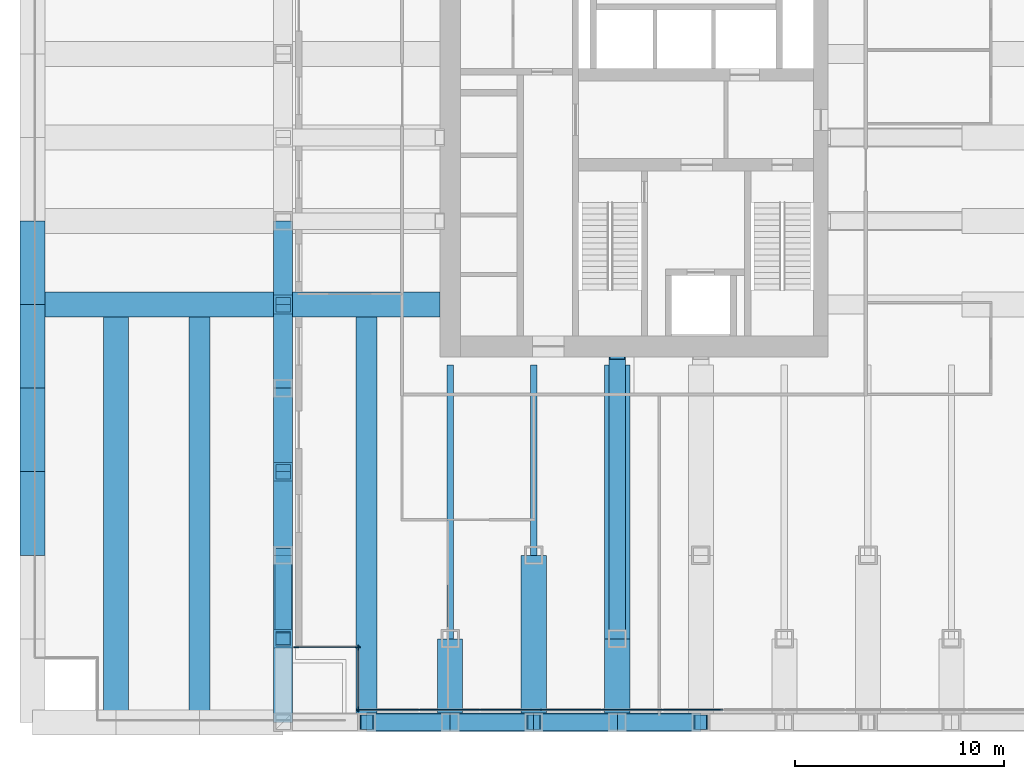
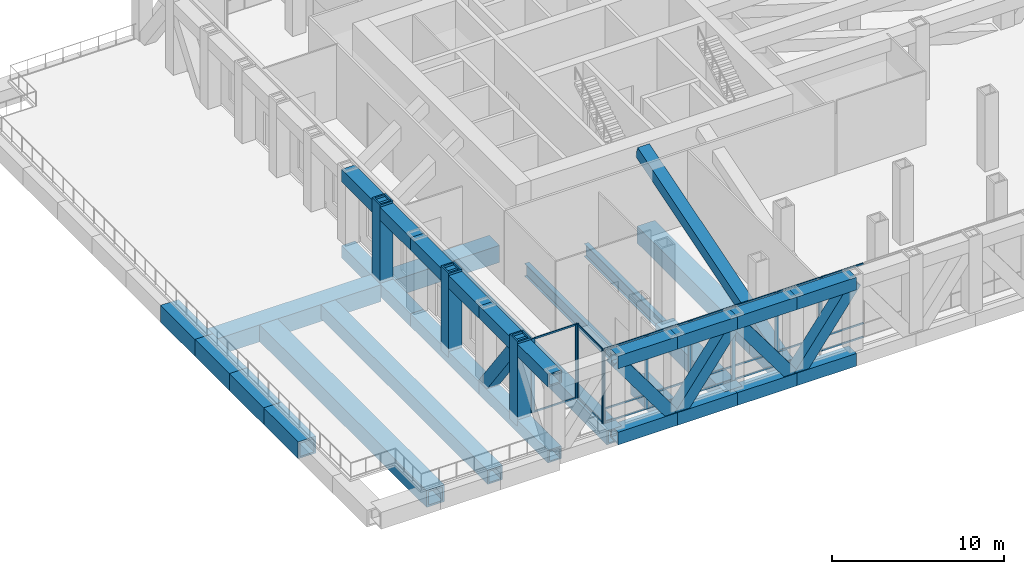
# One storey, part 2 of 14: 41 members, 32 beams, 3 elements without a shape of their own.
"""IFC4 building model written with IfcOpenShell, lengths in metres."""

from ifc_helpers import new_model, si_unit, direction, frame, origin, origin_2d, place, context, subcontext, project, spatial, rectangle, hollow_rectangle, i_section, extrude, material, material_profile, profile_set, type_object, element, aggregate, save


model = new_model("IFC4")

# Units and contexts
model_context = context("Model", 3, precision=1e-05, world=origin(), true_north=direction((0.0, 1.0)))
body_context = subcontext(model_context, "Body", "Model", "MODEL_VIEW")
ifc_project = project(units=[si_unit("LENGTHUNIT", "METRE"), si_unit("AREAUNIT", "SQUARE_METRE"), si_unit("VOLUMEUNIT", "CUBIC_METRE"), si_unit("PLANEANGLEUNIT", "RADIAN"), si_unit("MASSUNIT", "GRAM", prefix="KILO")], contexts=[model_context])

# Site, building, storey
site_placement = place(None, origin())
site = spatial("IfcSite", under=ifc_project, at=site_placement, CompositionType="ELEMENT")
building_placement = place(site_placement, origin())
building = spatial("IfcBuilding", under=site, at=building_placement, Name="Rimbunsela Tower", CompositionType="ELEMENT")
storey_placement = place(building_placement, frame((0.0, 0.0, 71.0)))
storey = spatial("IfcBuildingStorey", under=building, at=storey_placement, Name="L17", CompositionType="ELEMENT", Elevation=71.0)

# Beams
ifc_material_1 = material(Name="Steel BJ 55 (fy 410 MPa)", Category="steel")
ifc_material_profile_1 = material_profile(ifc_material_1, hollow_rectangle(XDim=1.0, YDim=1.0, WallThickness=0.10009765625, at=origin_2d()), Name="BOX 1000x1000x100")
ifc_profile_set_1 = profile_set([ifc_material_profile_1], Name="Steel BJ 55 (fy 410 MPa)")
beam_type_1 = type_object("IfcBeamType", Name="Beam BOX 1000x1000x100", PredefinedType="BEAM", material=ifc_profile_set_1)
for number, where, z_axis, x_axis, name in (
    (1, (6.0, 0.0, -0.64990234375), (0.0, 1.0, 0.0), (-1.0, 0.0, 0.0), "Beam B3 L17"),
    (2, (14.0, 0.0, -0.64990234375), (0.0, 1.0, 0.0), (-1.0, 0.0, 0.0), "Beam B3 L17"),
):
    element("IfcBeam", number, at=place(storey_placement, frame(where, z_axis=z_axis, x_axis=x_axis)), inside=storey, type_object=beam_type_1, Name=name, PredefinedType="BEAM", context=body_context, shape_type="SweptSolid", body=[
        extrude(hollow_rectangle(XDim=1.0, YDim=1.0, WallThickness=0.10009765625, at=origin_2d()), origin(), (0.0, 0.0, 1.0), 19.39990234375),
    ])
ifc_material_2 = material(Name="Steel BJ 55 (fy 410 MPa)", Category="steel")
ifc_material_profile_2 = material_profile(ifc_material_2, hollow_rectangle(XDim=1.199951171875, YDim=1.199951171875, WallThickness=0.10009765625, at=origin_2d()), Name="BOX 1200x1200x100")
ifc_profile_set_2 = profile_set([ifc_material_profile_2], Name="Steel BJ 55 (fy 410 MPa)")
beam_type_2 = type_object("IfcBeamType", Name="Beam BOX 1200x1200x100", PredefinedType="BEAM", material=ifc_profile_set_2)
beam_1_placement = place(storey_placement, frame((-2.0, 20.0, -0.75), z_axis=(1.0, 0.0, 0.0), x_axis=(0.0, 1.0, 0.0)))
element("IfcBeam", 3, at=beam_1_placement, inside=storey, type_object=beam_type_2, Name="Beam B5 L17", PredefinedType="BEAM", context=body_context, shape_type="SweptSolid", body=[
    extrude(hollow_rectangle(XDim=1.199951171875, YDim=1.199951171875, WallThickness=0.10009765625, at=origin_2d()), origin(), (0.0, 0.0, 1.0), 11.550048828125),
])
beam_2_placement = place(storey_placement, frame((10.449951171875, 20.0, -0.75), z_axis=(1.0, 0.0, 0.0), x_axis=(0.0, 1.0, 0.0)))
element("IfcBeam", 4, at=beam_2_placement, inside=storey, type_object=beam_type_2, Name="Beam B5 L17", PredefinedType="BEAM", context=body_context, shape_type="SweptSolid", body=[
    extrude(hollow_rectangle(XDim=1.199951171875, YDim=1.199951171875, WallThickness=0.10009765625, at=origin_2d()), origin(), (0.0, 0.0, 1.0), 7.050048828125),
])
beam_3_placement = place(storey_placement, frame((26.0, 4.0, -0.75), z_axis=(0.0, 1.0, 0.0), x_axis=(-1.0, 0.0, 0.0)))
element("IfcBeam", 5, at=beam_3_placement, inside=storey, type_object=beam_type_2, Name="Beam B5 L17", PredefinedType="BEAM", context=body_context, shape_type="SweptSolid", body=[
    extrude(hollow_rectangle(XDim=1.199951171875, YDim=1.199951171875, WallThickness=0.10009765625, at=origin_2d()), origin(), (0.0, 0.0, 1.0), 13.10009765625),
])
ifc_material_3 = material(Name="Steel BJ 55 (fy 410 MPa)", Category="steel")
ifc_material_profile_3 = material_profile(ifc_material_3, hollow_rectangle(XDim=1.199951171875, YDim=1.199951171875, WallThickness=0.125, at=origin_2d()), Name="BOX 1200x1200x125")
ifc_profile_set_3 = profile_set([ifc_material_profile_3], Name="Steel BJ 55 (fy 410 MPa)")
beam_type_3 = type_object("IfcBeamType", Name="Beam BOX 1200x1200x125", PredefinedType="BEAM", material=ifc_profile_set_3)
for number, where, z_axis, x_axis, name in (
    (6, (-2.0, 8.0, -0.75), (0.0, 1.0, 0.0), (-1.0, 0.0, 0.0), "Beam B4 L17"),
    (7, (-2.0, 12.0, -0.75), (0.0, 1.0, 0.0), (-1.0, 0.0, 0.0), "Beam B4 L17"),
    (8, (-2.0, 16.0, -0.75), (0.0, 1.0, 0.0), (-1.0, 0.0, 0.0), "Beam B4 L17"),
    (9, (-2.0, 20.0, -0.75), (0.0, 1.0, 0.0), (-1.0, 0.0, 0.0), "Beam B4 L17"),
):
    element("IfcBeam", number, at=place(storey_placement, frame(where, z_axis=z_axis, x_axis=x_axis)), inside=storey, type_object=beam_type_3, Name=name, PredefinedType="BEAM", context=body_context, shape_type="SweptSolid", body=[
        extrude(hollow_rectangle(XDim=1.199951171875, YDim=1.199951171875, WallThickness=0.125, at=origin_2d()), origin(), (0.0, 0.0, 1.0), 4.0),
    ])
beam_4_placement = place(storey_placement, frame((2.0, 0.0, -0.75), z_axis=(0.0, 1.0, 0.0), x_axis=(-1.0, 0.0, 0.0)))
element("IfcBeam", 10, at=beam_4_placement, inside=storey, type_object=beam_type_3, Name="Beam B4 L17", PredefinedType="BEAM", context=body_context, shape_type="SweptSolid", body=[
    extrude(hollow_rectangle(XDim=1.199951171875, YDim=1.199951171875, WallThickness=0.125, at=origin_2d()), origin(), (0.0, 0.0, 1.0), 19.39990234375),
])
beam_5_placement = place(storey_placement, frame((18.0, 0.0, -0.75), z_axis=(0.0, 1.0, 0.0), x_axis=(-1.0, 0.0, 0.0)))
element("IfcBeam", 11, at=beam_5_placement, inside=storey, type_object=beam_type_3, Name="Beam B4 L17", PredefinedType="BEAM", context=body_context, shape_type="SweptSolid", body=[
    extrude(hollow_rectangle(XDim=1.199951171875, YDim=1.199951171875, WallThickness=0.125, at=origin_2d()), origin(), (0.0, 0.0, 1.0), 4.0),
])
beam_6_placement = place(storey_placement, frame((22.0, 0.0, -0.75), z_axis=(0.0, 1.0, 0.0), x_axis=(-1.0, 0.0, 0.0)))
element("IfcBeam", 12, at=beam_6_placement, inside=storey, type_object=beam_type_3, Name="Beam B4 L17", PredefinedType="BEAM", context=body_context, shape_type="SweptSolid", body=[
    extrude(hollow_rectangle(XDim=1.199951171875, YDim=1.199951171875, WallThickness=0.125, at=origin_2d()), origin(), (0.0, 0.0, 1.0), 8.0),
])
beam_7_placement = place(storey_placement, frame((26.0, 0.0, -0.75), z_axis=(0.0, 1.0, 0.0), x_axis=(-1.0, 0.0, 0.0)))
element("IfcBeam", 13, at=beam_7_placement, inside=storey, type_object=beam_type_3, Name="Beam B4 L17", PredefinedType="BEAM", context=body_context, shape_type="SweptSolid", body=[
    extrude(hollow_rectangle(XDim=1.199951171875, YDim=1.199951171875, WallThickness=0.125, at=origin_2d()), origin(), (0.0, 0.0, 1.0), 4.0),
])
ifc_material_4 = material(Name="Steel BJ 55 (fy 410 MPa)", Category="steel")
ifc_material_profile_4 = material_profile(ifc_material_4, i_section(OverallWidth=0.300048828125, OverallDepth=0.89990234375, WebThickness=0.01611328125, FlangeThickness=0.028076171875, FilletRadius=0.028076171875, at=origin_2d()), Name="H 900x300x16x28")
ifc_profile_set_4 = profile_set([ifc_material_profile_4], Name="Steel BJ 55 (fy 410 MPa)")
beam_type_4 = type_object("IfcBeamType", Name="Beam H 900x300x16x28", PredefinedType="BEAM", material=ifc_profile_set_4)
beam_8_placement = place(storey_placement, frame((18.0, 4.0, -0.60009765625), z_axis=(0.0, 1.0, 0.0), x_axis=(-1.0, 0.0, 0.0)))
element("IfcBeam", 14, at=beam_8_placement, inside=storey, type_object=beam_type_4, Name="Beam B2 L17", PredefinedType="BEAM", context=body_context, shape_type="SweptSolid", body=[
    extrude(i_section(OverallWidth=0.300048828125, OverallDepth=0.89990234375, WebThickness=0.01611328125, FlangeThickness=0.028076171875, FilletRadius=0.028076171875, at=origin_2d()), origin(), (0.0, 0.0, 1.0), 13.10009765625),
])
beam_9_placement = place(storey_placement, frame((22.0, 8.0, -0.60009765625), z_axis=(0.0, 1.0, 0.0), x_axis=(-1.0, 0.0, 0.0)))
element("IfcBeam", 15, at=beam_9_placement, inside=storey, type_object=beam_type_4, Name="Beam B2 L17", PredefinedType="BEAM", context=body_context, shape_type="SweptSolid", body=[
    extrude(i_section(OverallWidth=0.300048828125, OverallDepth=0.89990234375, WebThickness=0.01611328125, FlangeThickness=0.028076171875, FilletRadius=0.028076171875, at=origin_2d()), origin(), (0.0, 0.0, 1.0), 9.10009765625),
])

# Curtain wall, members
ifc_material_5 = material(Name="Aluminium curtain wall", Category="aluminium")
curtain_wall_type_1 = type_object("IfcCurtainWallType", Name="Corner glazing", PredefinedType="USERDEFINED", material=ifc_material_5)
curtain_wall_1_placement = place(storey_placement, origin())
curtain_wall_1 = element("IfcCurtainWall", 16, at=curtain_wall_1_placement, inside=storey, type_object=curtain_wall_type_1, Name="Corner glazing L17", ObjectType="CORNER GLAZING", PredefinedType="USERDEFINED")
ifc_material_6 = material(Name="Aluminium mullion", Category="aluminium")
ifc_material_profile_5 = material_profile(ifc_material_6, rectangle(XDim=0.06005859375, YDim=0.25, at=origin_2d()), Name="Mullion 60x250")
ifc_profile_set_5 = profile_set([ifc_material_profile_5], Name="Aluminium mullion")
member_type_1 = type_object("IfcMemberType", Name="Curtain wall mullion 60x250", PredefinedType="MULLION", material=ifc_profile_set_5)
member_1_placement = place(storey_placement, frame((10.6298828125, 3.60009765625, 0.0), z_axis=(0.0, 0.0, 1.0), x_axis=(0.0, 1.0, 0.0)))
member_1 = element("IfcMember", 17, at=member_1_placement, type_object=member_type_1, Name="CW5 mullion 1", PredefinedType="MULLION", context=body_context, shape_type="SweptSolid", body=[
    extrude(rectangle(XDim=0.06005859375, YDim=0.25, at=origin_2d()), origin(), (0.0, 0.0, 1.0), 5.25),
])
member_2_placement = place(storey_placement, frame((13.570068359375, 3.60009765625, 0.0), z_axis=(0.0, 0.0, 1.0), x_axis=(0.0, 1.0, 0.0)))
member_2 = element("IfcMember", 18, at=member_2_placement, type_object=member_type_1, Name="CW5 mullion 2", PredefinedType="MULLION", context=body_context, shape_type="SweptSolid", body=[
    extrude(rectangle(XDim=0.06005859375, YDim=0.25, at=origin_2d()), origin(), (0.0, 0.0, 1.0), 5.25),
])

curtain_wall_2_placement = place(storey_placement, origin())
curtain_wall_2 = element("IfcCurtainWall", 19, at=curtain_wall_2_placement, inside=storey, type_object=curtain_wall_type_1, Name="Corner glazing L17", ObjectType="CORNER GLAZING", PredefinedType="USERDEFINED")
member_3_placement = place(storey_placement, frame((13.60009765625, 3.570068359375, 0.0), z_axis=(0.0, 0.0, 1.0), x_axis=(1.0, 0.0, 0.0)))
member_3 = element("IfcMember", 20, at=member_3_placement, type_object=member_type_1, Name="CW5 mullion 1", PredefinedType="MULLION", context=body_context, shape_type="SweptSolid", body=[
    extrude(rectangle(XDim=0.06005859375, YDim=0.25, at=origin_2d()), origin(), (0.0, 0.0, 1.0), 5.25),
])
member_4_placement = place(storey_placement, frame((13.60009765625, 0.6298828125, 0.0), z_axis=(0.0, 0.0, 1.0), x_axis=(1.0, 0.0, 0.0)))
member_4 = element("IfcMember", 21, at=member_4_placement, type_object=member_type_1, Name="CW5 mullion 2", PredefinedType="MULLION", context=body_context, shape_type="SweptSolid", body=[
    extrude(rectangle(XDim=0.06005859375, YDim=0.25, at=origin_2d()), origin(), (0.0, 0.0, 1.0), 5.25),
])

ifc_material_7 = material(Name="Aluminium curtain wall", Category="aluminium")
curtain_wall_type_2 = type_object("IfcCurtainWallType", Name="Plant floor louvre wall", PredefinedType="USERDEFINED", material=ifc_material_7)
curtain_wall_3_placement = place(storey_placement, origin())
curtain_wall_3 = element("IfcCurtainWall", 22, at=curtain_wall_3_placement, inside=storey, type_object=curtain_wall_type_2, Name="Plant floor louvre wall L17", ObjectType="PLANT FLOOR LOUVRE WALL", PredefinedType="USERDEFINED")
member_5_placement = place(storey_placement, frame((13.6298828125, 0.60009765625, 0.0), z_axis=(0.0, 0.0, 1.0), x_axis=(0.0, 1.0, 0.0)))
member_5 = element("IfcMember", 23, at=member_5_placement, type_object=member_type_1, Name="CW3 mullion 1", PredefinedType="MULLION", context=body_context, shape_type="SweptSolid", body=[
    extrude(rectangle(XDim=0.06005859375, YDim=0.25, at=origin_2d()), origin(), (0.0, 0.0, 1.0), 5.25),
])
member_6_placement = place(storey_placement, frame((16.514404296875, 0.60009765625, 0.0), z_axis=(0.0, 0.0, 1.0), x_axis=(0.0, 1.0, 0.0)))
member_6 = element("IfcMember", 24, at=member_6_placement, type_object=member_type_1, Name="CW3 mullion 2", PredefinedType="MULLION", context=body_context, shape_type="SweptSolid", body=[
    extrude(rectangle(XDim=0.06005859375, YDim=0.25, at=origin_2d()), origin(), (0.0, 0.0, 1.0), 5.25),
])
member_7_placement = place(storey_placement, frame((19.428466796875, 0.60009765625, 0.0), z_axis=(0.0, 0.0, 1.0), x_axis=(0.0, 1.0, 0.0)))
member_7 = element("IfcMember", 25, at=member_7_placement, type_object=member_type_1, Name="CW3 mullion 3", PredefinedType="MULLION", context=body_context, shape_type="SweptSolid", body=[
    extrude(rectangle(XDim=0.06005859375, YDim=0.25, at=origin_2d()), origin(), (0.0, 0.0, 1.0), 5.25),
])
member_8_placement = place(storey_placement, frame((22.3427734375, 0.60009765625, 0.0), z_axis=(0.0, 0.0, 1.0), x_axis=(0.0, 1.0, 0.0)))
member_8 = element("IfcMember", 26, at=member_8_placement, type_object=member_type_1, Name="CW3 mullion 4", PredefinedType="MULLION", context=body_context, shape_type="SweptSolid", body=[
    extrude(rectangle(XDim=0.06005859375, YDim=0.25, at=origin_2d()), origin(), (0.0, 0.0, 1.0), 5.25),
])
member_9_placement = place(storey_placement, frame((25.257080078125, 0.60009765625, 0.0), z_axis=(0.0, 0.0, 1.0), x_axis=(0.0, 1.0, 0.0)))
member_9 = element("IfcMember", 27, at=member_9_placement, type_object=member_type_1, Name="CW3 mullion 5", PredefinedType="MULLION", context=body_context, shape_type="SweptSolid", body=[
    extrude(rectangle(XDim=0.06005859375, YDim=0.25, at=origin_2d()), origin(), (0.0, 0.0, 1.0), 5.25),
])
member_10_placement = place(storey_placement, frame((28.17138671875, 0.60009765625, 0.0), z_axis=(0.0, 0.0, 1.0), x_axis=(0.0, 1.0, 0.0)))
member_10 = element("IfcMember", 28, at=member_10_placement, type_object=member_type_1, Name="CW3 mullion 6", PredefinedType="MULLION", context=body_context, shape_type="SweptSolid", body=[
    extrude(rectangle(XDim=0.06005859375, YDim=0.25, at=origin_2d()), origin(), (0.0, 0.0, 1.0), 5.25),
])

# Member
ifc_material_8 = material(Name="Aluminium transom", Category="aluminium")
ifc_material_profile_6 = material_profile(ifc_material_8, rectangle(XDim=0.06005859375, YDim=0.1201171875, at=origin_2d()), Name="Transom 60x120")
ifc_profile_set_6 = profile_set([ifc_material_profile_6], Name="Aluminium transom")
member_type_2 = type_object("IfcMemberType", Name="Curtain wall transom 60x120", PredefinedType="USERDEFINED", material=ifc_profile_set_6)
member_11_placement = place(storey_placement, frame((10.659912109375, 3.60009765625, 0.030029296875), z_axis=(1.0, 0.0, 0.0), x_axis=(0.0, 1.0, 0.0)))
member_11 = element("IfcMember", 29, at=member_11_placement, type_object=member_type_2, Name="CW5 transom 1.1", ObjectType="TRANSOM", PredefinedType="USERDEFINED", context=body_context, shape_type="SweptSolid", body=[
    extrude(rectangle(XDim=0.06005859375, YDim=0.1201171875, at=origin_2d()), origin(), (0.0, 0.0, 1.0), 2.880126953125),
])

member_12_placement = place(storey_placement, frame((10.659912109375, 3.60009765625, 5.219970703125), z_axis=(1.0, 0.0, 0.0), x_axis=(0.0, 1.0, 0.0)))
member_12 = element("IfcMember", 30, at=member_12_placement, type_object=member_type_2, Name="CW5 transom 1.2", ObjectType="TRANSOM", PredefinedType="USERDEFINED", context=body_context, shape_type="SweptSolid", body=[
    extrude(rectangle(XDim=0.06005859375, YDim=0.1201171875, at=origin_2d()), origin(), (0.0, 0.0, 1.0), 2.880126953125),
])

aggregate(curtain_wall_1, [member_1, member_2, member_11, member_12])

member_13_placement = place(storey_placement, frame((13.60009765625, 3.5400390625, 0.030029296875), z_axis=(0.0, -1.0, 0.0), x_axis=(1.0, 0.0, 0.0)))
member_13 = element("IfcMember", 31, at=member_13_placement, type_object=member_type_2, Name="CW5 transom 1.1", ObjectType="TRANSOM", PredefinedType="USERDEFINED", context=body_context, shape_type="SweptSolid", body=[
    extrude(rectangle(XDim=0.06005859375, YDim=0.1201171875, at=origin_2d()), origin(), (0.0, 0.0, 1.0), 2.880126953125),
])

member_14_placement = place(storey_placement, frame((13.60009765625, 3.5400390625, 5.219970703125), z_axis=(0.0, -1.0, 0.0), x_axis=(1.0, 0.0, 0.0)))
member_14 = element("IfcMember", 32, at=member_14_placement, type_object=member_type_2, Name="CW5 transom 1.2", ObjectType="TRANSOM", PredefinedType="USERDEFINED", context=body_context, shape_type="SweptSolid", body=[
    extrude(rectangle(XDim=0.06005859375, YDim=0.1201171875, at=origin_2d()), origin(), (0.0, 0.0, 1.0), 2.880126953125),
])

aggregate(curtain_wall_2, [member_3, member_4, member_13, member_14])

member_15_placement = place(storey_placement, frame((13.659912109375, 0.60009765625, 0.030029296875), z_axis=(1.0, 0.0, 0.0), x_axis=(0.0, 1.0, 0.0)))
member_15 = element("IfcMember", 33, at=member_15_placement, type_object=member_type_2, Name="CW3 transom 1.1", ObjectType="TRANSOM", PredefinedType="USERDEFINED", context=body_context, shape_type="SweptSolid", body=[
    extrude(rectangle(XDim=0.06005859375, YDim=0.1201171875, at=origin_2d()), origin(), (0.0, 0.0, 1.0), 2.824462890625),
])

member_16_placement = place(storey_placement, frame((13.659912109375, 0.60009765625, 1.0), z_axis=(1.0, 0.0, 0.0), x_axis=(0.0, 1.0, 0.0)))
member_16 = element("IfcMember", 34, at=member_16_placement, type_object=member_type_2, Name="CW3 transom 1.2", ObjectType="TRANSOM", PredefinedType="USERDEFINED", context=body_context, shape_type="SweptSolid", body=[
    extrude(rectangle(XDim=0.06005859375, YDim=0.1201171875, at=origin_2d()), origin(), (0.0, 0.0, 1.0), 2.824462890625),
])

member_17_placement = place(storey_placement, frame((13.659912109375, 0.60009765625, 5.219970703125), z_axis=(1.0, 0.0, 0.0), x_axis=(0.0, 1.0, 0.0)))
member_17 = element("IfcMember", 35, at=member_17_placement, type_object=member_type_2, Name="CW3 transom 1.3", ObjectType="TRANSOM", PredefinedType="USERDEFINED", context=body_context, shape_type="SweptSolid", body=[
    extrude(rectangle(XDim=0.06005859375, YDim=0.1201171875, at=origin_2d()), origin(), (0.0, 0.0, 1.0), 2.824462890625),
])

member_18_placement = place(storey_placement, frame((16.544189453125, 0.60009765625, 0.030029296875), z_axis=(1.0, 0.0, 0.0), x_axis=(0.0, 1.0, 0.0)))
member_18 = element("IfcMember", 36, at=member_18_placement, type_object=member_type_2, Name="CW3 transom 2.1", ObjectType="TRANSOM", PredefinedType="USERDEFINED", context=body_context, shape_type="SweptSolid", body=[
    extrude(rectangle(XDim=0.06005859375, YDim=0.1201171875, at=origin_2d()), origin(), (0.0, 0.0, 1.0), 2.8544921875),
])

member_19_placement = place(storey_placement, frame((16.544189453125, 0.60009765625, 1.0), z_axis=(1.0, 0.0, 0.0), x_axis=(0.0, 1.0, 0.0)))
member_19 = element("IfcMember", 37, at=member_19_placement, type_object=member_type_2, Name="CW3 transom 2.2", ObjectType="TRANSOM", PredefinedType="USERDEFINED", context=body_context, shape_type="SweptSolid", body=[
    extrude(rectangle(XDim=0.06005859375, YDim=0.1201171875, at=origin_2d()), origin(), (0.0, 0.0, 1.0), 2.8544921875),
])

member_20_placement = place(storey_placement, frame((16.544189453125, 0.60009765625, 5.219970703125), z_axis=(1.0, 0.0, 0.0), x_axis=(0.0, 1.0, 0.0)))
member_20 = element("IfcMember", 38, at=member_20_placement, type_object=member_type_2, Name="CW3 transom 2.3", ObjectType="TRANSOM", PredefinedType="USERDEFINED", context=body_context, shape_type="SweptSolid", body=[
    extrude(rectangle(XDim=0.06005859375, YDim=0.1201171875, at=origin_2d()), origin(), (0.0, 0.0, 1.0), 2.8544921875),
])

member_21_placement = place(storey_placement, frame((19.45849609375, 0.60009765625, 0.030029296875), z_axis=(1.0, 0.0, 0.0), x_axis=(0.0, 1.0, 0.0)))
member_21 = element("IfcMember", 39, at=member_21_placement, type_object=member_type_2, Name="CW3 transom 3.1", ObjectType="TRANSOM", PredefinedType="USERDEFINED", context=body_context, shape_type="SweptSolid", body=[
    extrude(rectangle(XDim=0.06005859375, YDim=0.1201171875, at=origin_2d()), origin(), (0.0, 0.0, 1.0), 2.854248046875),
])

member_22_placement = place(storey_placement, frame((19.45849609375, 0.60009765625, 1.0), z_axis=(1.0, 0.0, 0.0), x_axis=(0.0, 1.0, 0.0)))
member_22 = element("IfcMember", 40, at=member_22_placement, type_object=member_type_2, Name="CW3 transom 3.2", ObjectType="TRANSOM", PredefinedType="USERDEFINED", context=body_context, shape_type="SweptSolid", body=[
    extrude(rectangle(XDim=0.06005859375, YDim=0.1201171875, at=origin_2d()), origin(), (0.0, 0.0, 1.0), 2.854248046875),
])

member_23_placement = place(storey_placement, frame((19.45849609375, 0.60009765625, 5.219970703125), z_axis=(1.0, 0.0, 0.0), x_axis=(0.0, 1.0, 0.0)))
member_23 = element("IfcMember", 41, at=member_23_placement, type_object=member_type_2, Name="CW3 transom 3.3", ObjectType="TRANSOM", PredefinedType="USERDEFINED", context=body_context, shape_type="SweptSolid", body=[
    extrude(rectangle(XDim=0.06005859375, YDim=0.1201171875, at=origin_2d()), origin(), (0.0, 0.0, 1.0), 2.854248046875),
])

member_24_placement = place(storey_placement, frame((22.372802734375, 0.60009765625, 0.030029296875), z_axis=(1.0, 0.0, 0.0), x_axis=(0.0, 1.0, 0.0)))
member_24 = element("IfcMember", 42, at=member_24_placement, type_object=member_type_2, Name="CW3 transom 4.1", ObjectType="TRANSOM", PredefinedType="USERDEFINED", context=body_context, shape_type="SweptSolid", body=[
    extrude(rectangle(XDim=0.06005859375, YDim=0.1201171875, at=origin_2d()), origin(), (0.0, 0.0, 1.0), 2.854248046875),
])

member_25_placement = place(storey_placement, frame((22.372802734375, 0.60009765625, 1.0), z_axis=(1.0, 0.0, 0.0), x_axis=(0.0, 1.0, 0.0)))
member_25 = element("IfcMember", 43, at=member_25_placement, type_object=member_type_2, Name="CW3 transom 4.2", ObjectType="TRANSOM", PredefinedType="USERDEFINED", context=body_context, shape_type="SweptSolid", body=[
    extrude(rectangle(XDim=0.06005859375, YDim=0.1201171875, at=origin_2d()), origin(), (0.0, 0.0, 1.0), 2.854248046875),
])

member_26_placement = place(storey_placement, frame((22.372802734375, 0.60009765625, 5.219970703125), z_axis=(1.0, 0.0, 0.0), x_axis=(0.0, 1.0, 0.0)))
member_26 = element("IfcMember", 44, at=member_26_placement, type_object=member_type_2, Name="CW3 transom 4.3", ObjectType="TRANSOM", PredefinedType="USERDEFINED", context=body_context, shape_type="SweptSolid", body=[
    extrude(rectangle(XDim=0.06005859375, YDim=0.1201171875, at=origin_2d()), origin(), (0.0, 0.0, 1.0), 2.854248046875),
])

member_27_placement = place(storey_placement, frame((25.287109375, 0.60009765625, 0.030029296875), z_axis=(1.0, 0.0, 0.0), x_axis=(0.0, 1.0, 0.0)))
member_27 = element("IfcMember", 45, at=member_27_placement, type_object=member_type_2, Name="CW3 transom 5.1", ObjectType="TRANSOM", PredefinedType="USERDEFINED", context=body_context, shape_type="SweptSolid", body=[
    extrude(rectangle(XDim=0.06005859375, YDim=0.1201171875, at=origin_2d()), origin(), (0.0, 0.0, 1.0), 2.854248046875),
])

member_28_placement = place(storey_placement, frame((25.287109375, 0.60009765625, 1.0), z_axis=(1.0, 0.0, 0.0), x_axis=(0.0, 1.0, 0.0)))
member_28 = element("IfcMember", 46, at=member_28_placement, type_object=member_type_2, Name="CW3 transom 5.2", ObjectType="TRANSOM", PredefinedType="USERDEFINED", context=body_context, shape_type="SweptSolid", body=[
    extrude(rectangle(XDim=0.06005859375, YDim=0.1201171875, at=origin_2d()), origin(), (0.0, 0.0, 1.0), 2.854248046875),
])

member_29_placement = place(storey_placement, frame((25.287109375, 0.60009765625, 5.219970703125), z_axis=(1.0, 0.0, 0.0), x_axis=(0.0, 1.0, 0.0)))
member_29 = element("IfcMember", 47, at=member_29_placement, type_object=member_type_2, Name="CW3 transom 5.3", ObjectType="TRANSOM", PredefinedType="USERDEFINED", context=body_context, shape_type="SweptSolid", body=[
    extrude(rectangle(XDim=0.06005859375, YDim=0.1201171875, at=origin_2d()), origin(), (0.0, 0.0, 1.0), 2.854248046875),
])

member_30_placement = place(storey_placement, frame((28.201416015625, 0.60009765625, 0.030029296875), z_axis=(1.0, 0.0, 0.0), x_axis=(0.0, 1.0, 0.0)))
member_30 = element("IfcMember", 48, at=member_30_placement, type_object=member_type_2, Name="CW3 transom 6.1", ObjectType="TRANSOM", PredefinedType="USERDEFINED", context=body_context, shape_type="SweptSolid", body=[
    extrude(rectangle(XDim=0.06005859375, YDim=0.1201171875, at=origin_2d()), origin(), (0.0, 0.0, 1.0), 2.854248046875),
])

member_31_placement = place(storey_placement, frame((28.201416015625, 0.60009765625, 1.0), z_axis=(1.0, 0.0, 0.0), x_axis=(0.0, 1.0, 0.0)))
member_31 = element("IfcMember", 49, at=member_31_placement, type_object=member_type_2, Name="CW3 transom 6.2", ObjectType="TRANSOM", PredefinedType="USERDEFINED", context=body_context, shape_type="SweptSolid", body=[
    extrude(rectangle(XDim=0.06005859375, YDim=0.1201171875, at=origin_2d()), origin(), (0.0, 0.0, 1.0), 2.854248046875),
])

member_32_placement = place(storey_placement, frame((28.201416015625, 0.60009765625, 5.219970703125), z_axis=(1.0, 0.0, 0.0), x_axis=(0.0, 1.0, 0.0)))
member_32 = element("IfcMember", 50, at=member_32_placement, type_object=member_type_2, Name="CW3 transom 6.3", ObjectType="TRANSOM", PredefinedType="USERDEFINED", context=body_context, shape_type="SweptSolid", body=[
    extrude(rectangle(XDim=0.06005859375, YDim=0.1201171875, at=origin_2d()), origin(), (0.0, 0.0, 1.0), 2.854248046875),
])

aggregate(curtain_wall_3, [member_5, member_6, member_7, member_8, member_9, member_10, member_15, member_16, member_17, member_18, member_19, member_20, member_21, member_22, member_23, member_24, member_25, member_26, member_27, member_28, member_29, member_30, member_31, member_32])

ifc_material_9 = material(Name="Steel BJ 55 (fy 410 MPa)", Category="steel")
ifc_material_profile_7 = material_profile(ifc_material_9, hollow_rectangle(XDim=0.800048828125, YDim=0.800048828125, WallThickness=0.06005859375, at=origin_2d()), Name="BOX 800x800x60")
ifc_profile_set_7 = profile_set([ifc_material_profile_7], Name="Steel BJ 55 (fy 410 MPa)")
member_type_3 = type_object("IfcMemberType", Name="Outrigger brace BOX 800x800x60", PredefinedType="BRACE", material=ifc_profile_set_7)
member_33_placement = place(storey_placement, frame((26.0, 0.0, -0.60009765625), z_axis=(0.0, 0.955540328498, 0.294860442607), x_axis=(-1.0, 0.0, 0.0)))
element("IfcMember", 51, at=member_33_placement, inside=storey, type_object=member_type_3, Name="Outrigger brace OB1 S L17", PredefinedType="BRACE", context=body_context, shape_type="SweptSolid", body=[
    extrude(hollow_rectangle(XDim=0.800048828125, YDim=0.800048828125, WallThickness=0.06005859375, at=origin_2d()), origin(), (0.0, 0.0, 1.0), 18.314208984375),
])

# Beams
ifc_material_10 = material(Name="Steel BJ 55 (fy 410 MPa)", Category="steel")
ifc_material_profile_8 = material_profile(ifc_material_10, hollow_rectangle(XDim=0.89990234375, YDim=0.89990234375, WallThickness=0.10009765625, at=origin_2d()), Name="BOX 900x900x100")
ifc_profile_set_8 = profile_set([ifc_material_profile_8], Name="Steel BJ 55 (fy 410 MPa)")
beam_type_5 = type_object("IfcBeamType", Name="Truss chord BOX 900x900x100", PredefinedType="USERDEFINED", material=ifc_profile_set_8)
for number, where, z_axis, x_axis, name in (
    (52, (14.0, 0.0, 4.800048828125), (1.0, 0.0, 0.0), (0.0, 1.0, 0.0), "Truss top chord TC2 S face L17"),
    (53, (18.0, 0.0, 4.800048828125), (1.0, 0.0, 0.0), (0.0, 1.0, 0.0), "Truss top chord TC2 S face L17"),
    (54, (22.0, 0.0, 4.800048828125), (1.0, 0.0, 0.0), (0.0, 1.0, 0.0), "Truss top chord TC2 S face L17"),
    (55, (26.0, 0.0, 4.800048828125), (1.0, 0.0, 0.0), (0.0, 1.0, 0.0), "Truss top chord TC2 S face L17"),
    (56, (10.0, 0.0, 4.800048828125), (0.0, 1.0, 0.0), (-1.0, 0.0, 0.0), "Truss top chord TC2 W face L17"),
    (57, (10.0, 4.0, 4.800048828125), (0.0, 1.0, 0.0), (-1.0, 0.0, 0.0), "Truss top chord TC2 W face L17"),
    (58, (10.0, 8.0, 4.800048828125), (0.0, 1.0, 0.0), (-1.0, 0.0, 0.0), "Truss top chord TC2 W face L17"),
    (59, (10.0, 12.0, 4.800048828125), (0.0, 1.0, 0.0), (-1.0, 0.0, 0.0), "Truss top chord TC2 W face L17"),
    (60, (10.0, 16.0, 4.800048828125), (0.0, 1.0, 0.0), (-1.0, 0.0, 0.0), "Truss top chord TC2 W face L17"),
    (61, (10.0, 20.0, 4.800048828125), (0.0, 1.0, 0.0), (-1.0, 0.0, 0.0), "Truss top chord TC2 W face L17"),
    (62, (14.0, 0.0, -0.60009765625), (1.0, 0.0, 0.0), (0.0, 1.0, 0.0), "Truss bottom chord TC2 S face L17"),
    (63, (18.0, 0.0, -0.60009765625), (1.0, 0.0, 0.0), (0.0, 1.0, 0.0), "Truss bottom chord TC2 S face L17"),
    (64, (22.0, 0.0, -0.60009765625), (1.0, 0.0, 0.0), (0.0, 1.0, 0.0), "Truss bottom chord TC2 S face L17"),
    (65, (26.0, 0.0, -0.60009765625), (1.0, 0.0, 0.0), (0.0, 1.0, 0.0), "Truss bottom chord TC2 S face L17"),
):
    element("IfcBeam", number, at=place(storey_placement, frame(where, z_axis=z_axis, x_axis=x_axis)), inside=storey, type_object=beam_type_5, Name=name, ObjectType="TRUSS CHORD", PredefinedType="USERDEFINED", context=body_context, shape_type="SweptSolid", body=[
        extrude(hollow_rectangle(XDim=0.89990234375, YDim=0.89990234375, WallThickness=0.10009765625, at=origin_2d()), origin(), (0.0, 0.0, 1.0), 4.0),
    ])
for number, where, z_axis, x_axis, name in (
    (66, (10.0, 0.0, -0.60009765625), (0.0, 1.0, 0.0), (-1.0, 0.0, 0.0), "Truss bottom chord TC2 W face L17"),
    (67, (10.0, 8.0, -0.60009765625), (0.0, 1.0, 0.0), (-1.0, 0.0, 0.0), "Truss bottom chord TC2 W face L17"),
    (68, (10.0, 16.0, -0.60009765625), (0.0, 1.0, 0.0), (-1.0, 0.0, 0.0), "Truss bottom chord TC2 W face L17"),
):
    element("IfcBeam", number, at=place(storey_placement, frame(where, z_axis=z_axis, x_axis=x_axis)), inside=storey, type_object=beam_type_5, Name=name, ObjectType="TRUSS CHORD", PredefinedType="USERDEFINED", context=body_context, shape_type="SweptSolid", body=[
        extrude(hollow_rectangle(XDim=0.89990234375, YDim=0.89990234375, WallThickness=0.10009765625, at=origin_2d()), origin(), (0.0, 0.0, 1.0), 8.0),
    ])

# Members
ifc_material_11 = material(Name="Steel BJ 55 (fy 410 MPa)", Category="steel")
ifc_material_profile_9 = material_profile(ifc_material_11, hollow_rectangle(XDim=0.800048828125, YDim=0.800048828125, WallThickness=0.06005859375, at=origin_2d()), Name="BOX 800x800x60")
ifc_profile_set_9 = profile_set([ifc_material_profile_9], Name="Steel BJ 55 (fy 410 MPa)")
member_type_4 = type_object("IfcMemberType", Name="Truss diagonal BOX 800x800x60", PredefinedType="BRACE", material=ifc_profile_set_9)
for number, where, z_axis, x_axis, name in (
    (69, (14.0, 0.0, 4.800048828125), (0.595217124844, 0.0, -0.803564916041), (0.0, 1.0, 0.0), "Truss diagonal TD2 S face L17"),
    (70, (18.0, 0.0, -0.60009765625), (0.595217124844, 0.0, 0.803564916041), (0.0, 1.0, 0.0), "Truss diagonal TD2 S face L17"),
    (71, (22.0, 0.0, 4.800048828125), (0.595217124844, 0.0, -0.803564916041), (0.0, 1.0, 0.0), "Truss diagonal TD2 S face L17"),
    (72, (26.0, 0.0, -0.60009765625), (0.595217124844, 0.0, 0.803564916041), (0.0, 1.0, 0.0), "Truss diagonal TD2 S face L17"),
    (73, (10.0, 4.0, 4.800048828125), (0.0, 0.595217124844, -0.803564916041), (-1.0, 0.0, 0.0), "Truss diagonal TD2 W face L17"),
):
    element("IfcMember", number, at=place(storey_placement, frame(where, z_axis=z_axis, x_axis=x_axis)), inside=storey, type_object=member_type_4, Name=name, PredefinedType="BRACE", context=body_context, shape_type="SweptSolid", body=[
        extrude(hollow_rectangle(XDim=0.800048828125, YDim=0.800048828125, WallThickness=0.06005859375, at=origin_2d()), origin(), (0.0, 0.0, 1.0), 6.72021484375),
    ])
ifc_material_12 = material(Name="Steel BJ 55 (fy 410 MPa)", Category="steel")
ifc_material_profile_10 = material_profile(ifc_material_12, hollow_rectangle(XDim=0.89990234375, YDim=0.89990234375, WallThickness=0.10009765625, at=origin_2d()), Name="BOX 900x900x100")
ifc_profile_set_10 = profile_set([ifc_material_profile_10], Name="Steel BJ 55 (fy 410 MPa)")
member_type_5 = type_object("IfcMemberType", Name="Truss post BOX 900x900x100", PredefinedType="POST", material=ifc_profile_set_10)
for number, where, z_axis, x_axis, name in (
    (74, (10.0, 4.0, -0.60009765625), (0.0, 0.0, 1.0), (1.0, 0.0, 0.0), "Truss post TP2 5/C L17"),
    (75, (10.0, 12.0, -0.60009765625), (0.0, 0.0, 1.0), (1.0, 0.0, 0.0), "Truss post TP2 5/E L17"),
    (76, (10.0, 20.0, -0.60009765625), (0.0, 0.0, 1.0), (1.0, 0.0, 0.0), "Truss post TP2 5/G L17"),
):
    element("IfcMember", number, at=place(storey_placement, frame(where, z_axis=z_axis, x_axis=x_axis)), inside=storey, type_object=member_type_5, Name=name, PredefinedType="POST", context=body_context, shape_type="SweptSolid", body=[
        extrude(hollow_rectangle(XDim=0.89990234375, YDim=0.89990234375, WallThickness=0.10009765625, at=origin_2d()), origin(), (0.0, 0.0, 1.0), 6.0),
    ])

save(model, "model.ifc")
